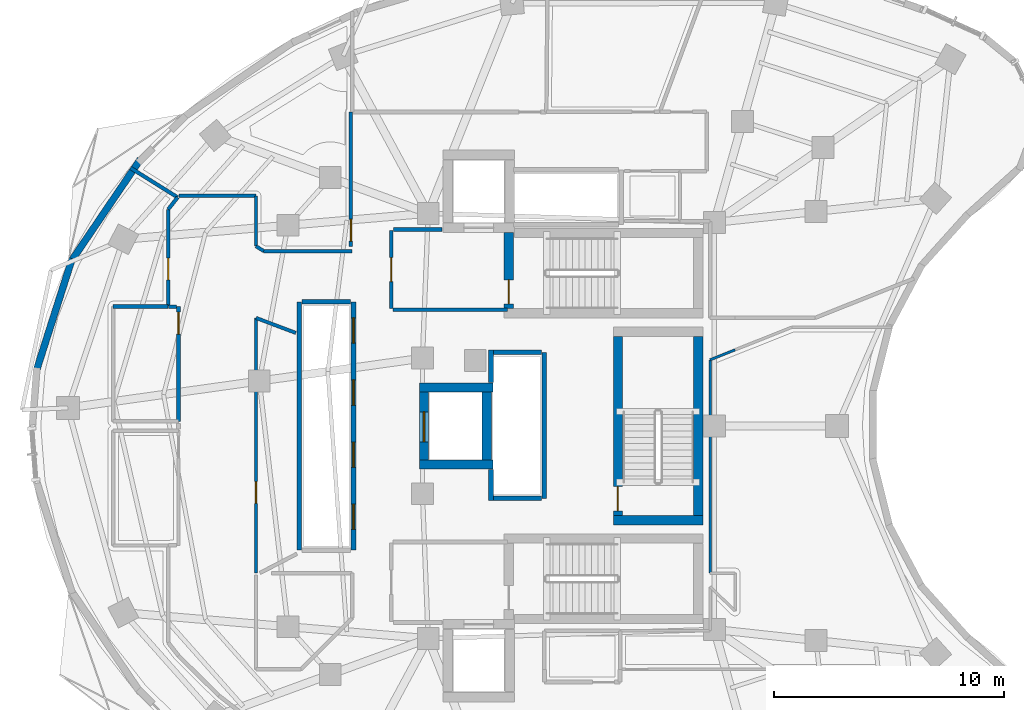
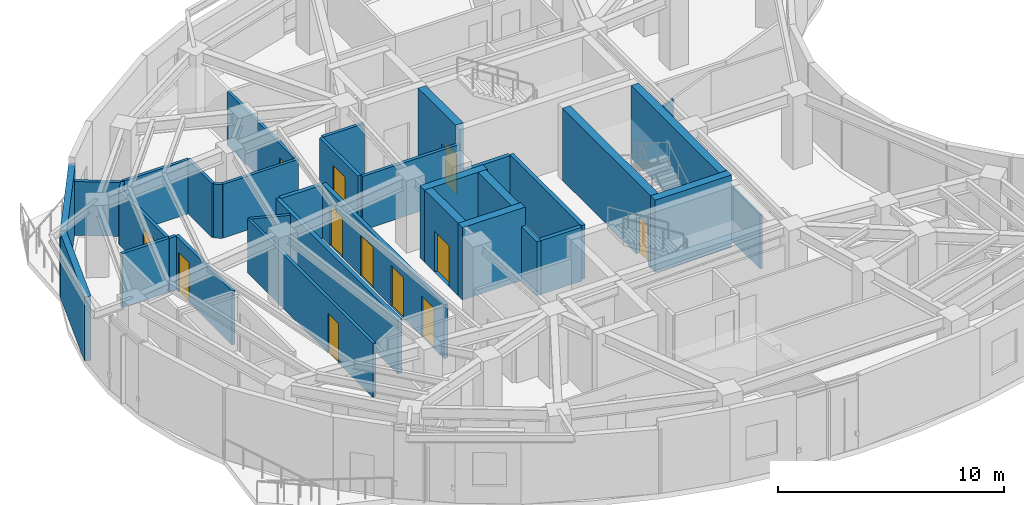
# One storey, part 8 of 13: 36 walls, 12 doors, 12 openings.
"""IFC4 building model written with IfcOpenShell, lengths in metres."""

import ifcopenshell
import ifcopenshell.guid

model = None  # the IFC model being written
_history = None  # IfcOwnerHistory: only IFC2X3 demands one
_inside = {}  # id of a spatial element -> (the spatial element, [elements in it])
_under = {}  # id of a project, library or spatial element -> (it, [spatial elements below it])
_declared = {}  # id of a project -> (the project, [libraries it declares])
_typed = {}  # id of a type object -> (the type object, [elements of that type])
_made_of = {}  # id of a material, layer set ... -> (it, [elements and type objects made of it])


def new_model(schema):
    """Start an empty IFC model of exactly this schema.

    Asked for "IFC4X3", IfcOpenShell would pick the latest addendum, in which some entities
    have other attributes; the version numbers below select the first issue.
    IFC2X3 requires an IfcOwnerHistory on every rooted entity: one is made here for all.
    """
    global model, _history
    if schema == "IFC4X3":
        model = ifcopenshell.file(schema_version=(4, 3, 0, 0))
    else:
        model = ifcopenshell.file(schema=schema)
    _inside.clear()
    _under.clear()
    _declared.clear()
    _typed.clear()
    _made_of.clear()
    _history = None
    if model.schema == "IFC2X3":
        org = make("IfcOrganization", Name="unknown")
        user = make(
            "IfcPersonAndOrganization",
            ThePerson=make("IfcPerson", FamilyName="unknown"),
            TheOrganization=org,
        )
        app = make(
            "IfcApplication",
            ApplicationDeveloper=org,
            Version="unknown",
            ApplicationFullName="unknown",
            ApplicationIdentifier="unknown",
        )
        _history = make(
            "IfcOwnerHistory",
            OwningUser=user,
            OwningApplication=app,
            ChangeAction="ADDED",
            CreationDate=0,
        )
    return model


def make(cls, **values):
    """One entity of the class cls with the attributes given. An attribute that is None is left unset."""
    return model.create_entity(
        cls, **{name: value for name, value in values.items() if value is not None}
    )


def rooted(cls, **values):
    """An entity with a GlobalId (a new one), such as an element, a storey or a relation."""
    return make(cls, GlobalId=ifcopenshell.guid.new(), OwnerHistory=_history, **values)


def si_unit(unit_type, name, prefix=None):
    """IfcSIUnit, for example si_unit("LENGTHUNIT", "METRE", prefix="MILLI")."""
    return make("IfcSIUnit", UnitType=unit_type, Prefix=prefix, Name=name)


def assignment(units):
    """IfcUnitAssignment: the units of a project."""
    return None if units is None else make("IfcUnitAssignment", Units=units)


def point(xyz):
    """IfcCartesianPoint."""
    return None if xyz is None else make("IfcCartesianPoint", Coordinates=xyz)


def direction(xyz):
    """IfcDirection."""
    return None if xyz is None else make("IfcDirection", DirectionRatios=xyz)


def frame(location, z_axis=None, x_axis=None):
    """IfcAxis2Placement3D, a coordinate frame: its origin and axes. An axis left out is left unset."""
    return make(
        "IfcAxis2Placement3D",
        Location=point(location),
        Axis=direction(z_axis),
        RefDirection=direction(x_axis),
    )


def frame_2d(location, x_axis=None):
    """IfcAxis2Placement2D, a coordinate frame in the plane: its origin and x axis."""
    return make(
        "IfcAxis2Placement2D", Location=point(location), RefDirection=direction(x_axis)
    )


def origin():
    """The frame at (0, 0, 0) with its axes left unset."""
    return frame((0.0, 0.0, 0.0))


def place(relative_to, where):
    """IfcLocalPlacement: puts the frame where relative to a parent placement (None: the world)."""
    return make(
        "IfcLocalPlacement", PlacementRelTo=relative_to, RelativePlacement=where
    )


def context(
    kind, dimensions, precision=None, world=None, true_north=None, identifier=None
):
    """IfcGeometricRepresentationContext, for example the 3D "Model" context."""
    return make(
        "IfcGeometricRepresentationContext",
        ContextIdentifier=identifier,
        ContextType=kind,
        CoordinateSpaceDimension=dimensions,
        Precision=precision,
        WorldCoordinateSystem=world,
        TrueNorth=true_north,
    )


def subcontext(parent, identifier, kind, view, scale=None):
    """IfcGeometricRepresentationSubContext, for example "Body" below "Model"."""
    return make(
        "IfcGeometricRepresentationSubContext",
        ContextIdentifier=identifier,
        ContextType=kind,
        ParentContext=parent,
        TargetScale=scale,
        TargetView=view,
    )


def project(units=None, contexts=None):
    """IfcProject with its units and contexts."""
    return rooted(
        "IfcProject",
        Name="project",
        RepresentationContexts=contexts,
        UnitsInContext=assignment(units),
    )


def spatial(cls, under=None, at=None, **own):
    """A site, building, storey or space (cls), placed at a placement, below another one or the project."""
    s = rooted(cls, ObjectPlacement=at, **own)
    if under is not None:
        _under.setdefault(under.id(), (under, []))[1].append(s)
    return s


def profile(cls, at=None, kind="AREA", **sizes):
    """A parametric profile (cls). Its sizes go by their IFC names, for example OverallWidth=200.0."""
    return make(cls, ProfileType=kind, Position=at, **sizes)


def rectangle(**sizes):
    """IfcRectangleProfileDef."""
    return profile("IfcRectangleProfileDef", **sizes)


def extrude(swept, where, along, depth):
    """IfcExtrudedAreaSolid: the profile swept, set in the frame where, extruded along a direction by depth."""
    return make(
        "IfcExtrudedAreaSolid",
        SweptArea=swept,
        Position=where,
        ExtrudedDirection=direction(along),
        Depth=depth,
    )


def shape(context_of_items, identifier, shape_type, items):
    """IfcShapeRepresentation: the items that make up one representation, for example the "Body"."""
    return make(
        "IfcShapeRepresentation",
        ContextOfItems=context_of_items,
        RepresentationIdentifier=identifier,
        RepresentationType=shape_type,
        Items=items,
    )


def material(Name=None, Category=None):
    """IfcMaterial."""
    return make("IfcMaterial", Name=Name, Category=Category)


def layer(
    of_material, thickness, ventilated=None, Name=None, Category=None, Priority=None
):
    """IfcMaterialLayer: one layer of a wall or slab, of a material (None: an air gap)."""
    return make(
        "IfcMaterialLayer",
        Material=of_material,
        LayerThickness=thickness,
        IsVentilated=ventilated,
        Name=Name,
        Category=Category,
        Priority=Priority,
    )


def layer_set(layers, Name=None):
    """IfcMaterialLayerSet."""
    return make("IfcMaterialLayerSet", MaterialLayers=layers, LayerSetName=Name)


def made_of(thing, what):
    """Note that an element or type object is made of a material, layer set ...; save() writes the relation."""
    if what is not None:
        _made_of.setdefault(what.id(), (what, []))[1].append(thing)
    return thing


def type_object(cls, material=None, **own):
    """A type object (cls), such as IfcWallType, which elements share."""
    return made_of(rooted(cls, **own), material)


def element(
    cls,
    number,
    at=None,
    inside=None,
    cuts=None,
    type_object=None,
    material=None,
    context=None,
    identifier="Body",
    shape_type=None,
    held_by="IfcProductDefinitionShape",
    body=None,
    shapes=None,
    **own,
):
    """One element of the class cls, such as IfcWall. Its Tag is "e" and its number.

    at: its placement. inside: the storey or other place that contains it. cuts: it is an
    opening in that element (IfcRelVoidsElement). A single representation is given by context,
    identifier, shape_type and body (its items); several are given by shapes. held_by: the class
    of the entity that holds the representations. save() writes the other relations.
    """
    e = rooted(cls, Tag="e%d" % number, ObjectPlacement=at, **own)
    if body is not None:
        shapes = [shape(context, identifier, shape_type, body)]
    if shapes is not None:
        e.Representation = make(held_by, Representations=shapes)
    if inside is not None:
        _inside.setdefault(inside.id(), (inside, []))[1].append(e)
    if cuts is not None:
        rooted(
            "IfcRelVoidsElement", RelatingBuildingElement=cuts, RelatedOpeningElement=e
        )
    if type_object is not None:
        _typed.setdefault(type_object.id(), (type_object, []))[1].append(e)
    return made_of(e, material)


def fill(opening, filler):
    """IfcRelFillsElement: the door or window that sits in an opening."""
    return rooted(
        "IfcRelFillsElement",
        RelatingOpeningElement=opening,
        RelatedBuildingElement=filler,
    )


def aggregate(whole, parts):
    """IfcRelAggregates: a whole, such as a stair, and the parts it consists of."""
    return rooted("IfcRelAggregates", RelatingObject=whole, RelatedObjects=parts)


def save(model, path):
    """Write the relations noted so far, then the file.

    IfcRelAggregates (storeys below a building ...), IfcRelContainedInSpatialStructure (elements
    in a storey), IfcRelDefinesByType, IfcRelAssociatesMaterial and IfcRelDeclares: one each for
    every whole, place, type object, material and project.
    """
    for whole, parts in _under.values():
        aggregate(whole, parts)
    for where, things in _inside.values():
        rooted(
            "IfcRelContainedInSpatialStructure",
            RelatedElements=things,
            RelatingStructure=where,
        )
    for kind, things in _typed.values():
        rooted("IfcRelDefinesByType", RelatedObjects=things, RelatingType=kind)
    for what, things in _made_of.values():
        rooted("IfcRelAssociatesMaterial", RelatedObjects=things, RelatingMaterial=what)
    for by, libraries in _declared.values():
        rooted("IfcRelDeclares", RelatingContext=by, RelatedDefinitions=libraries)
    model.write(path)


model = new_model("IFC4")

# Units and contexts
model_context = context("Model", 3, precision=1e-05, world=origin(), true_north=direction((0.0, 1.0)))
body_context = subcontext(model_context, "Body", "Model", "MODEL_VIEW")
ifc_project = project(units=[si_unit("LENGTHUNIT", "METRE"), si_unit("AREAUNIT", "SQUARE_METRE"), si_unit("VOLUMEUNIT", "CUBIC_METRE"), si_unit("PLANEANGLEUNIT", "RADIAN"), si_unit("MASSUNIT", "GRAM", prefix="KILO")], contexts=[model_context])

# Site, building, storey
site_placement = place(None, origin())
site = spatial("IfcSite", under=ifc_project, at=site_placement, CompositionType="ELEMENT")
building_placement = place(site_placement, origin())
building = spatial("IfcBuilding", under=site, at=building_placement, Name="Korentha Bioscience Tower", CompositionType="ELEMENT")
storey_placement = place(building_placement, frame((0.0, 0.0, 183.60009765625)))
storey = spatial("IfcBuildingStorey", under=building, at=storey_placement, Name="L42", CompositionType="ELEMENT", Elevation=183.60009765625)

# Wall, opening, door
ifc_material_1 = material(Name="Double-Stud Acoustic Gypsum", Category="gypsum")
ifc_layer_1 = layer(ifc_material_1, 0.14990234375, Name="Double-Stud Acoustic Gypsum")
ifc_layer_set_1 = layer_set([ifc_layer_1], Name="Double-Stud Acoustic Gypsum (IW-L150)")
wall_type_1 = type_object("IfcWallType", Name="Acoustic Laboratory Partition Wall 150", PredefinedType="PARTITIONING", material=ifc_layer_set_1)
wall_1_placement = place(storey_placement, frame((17.610107421875, 20.60205078125, 0.0), z_axis=(0.0, 0.0, 1.0), x_axis=(0.0, 1.0, 0.0)))
wall_1 = element("IfcWall", 1, at=wall_1_placement, inside=storey, type_object=wall_type_1, Name="L42 Biomechanical Motion Analysis Lab 02 Entrance Wall", PredefinedType="PARTITIONING", context=body_context, shape_type="SweptSolid", body=[
    extrude(rectangle(XDim=11.095947265625, YDim=0.14990234375, at=frame_2d((5.5478515625, 0.0))), origin(), (0.0, 0.0, 1.0), 2.909912109375),
])
opening_1_placement = place(wall_1_placement, frame((3.030029296875, 0.0, 0.0)))
opening_1 = element("IfcOpeningElement", 2, at=opening_1_placement, cuts=wall_1, Name="Opening ID-10R", PredefinedType="OPENING", context=body_context, shape_type="SweptSolid", body=[
    extrude(rectangle(XDim=0.949951171875, YDim=2.14990234375, at=frame_2d((0.47509765625, 1.074951171875))), frame((0.0, 0.08984375, 0.0), z_axis=(0.0, -1.0, 0.0), x_axis=(1.0, 0.0, 0.0)), (0.0, 0.0, 1.0), 0.1796875),
])
ifc_material_2 = material(Name="Phenolic Laminate Timber Core", Category="wood")
door_type_1 = type_object("IfcDoorType", Name="Laboratory Single Leaf Door 950x2150 Right", OperationType="SINGLE_SWING_RIGHT", PredefinedType="DOOR", material=ifc_material_2)
door_1_placement = place(opening_1_placement, origin())
door_1 = element("IfcDoor", 3, at=door_1_placement, inside=storey, type_object=door_type_1, Name="L42 Biomechanical Motion Analysis Lab 02 Door", OperationType="SINGLE_SWING_RIGHT", OverallHeight=2.14990234375, OverallWidth=0.949951171875, PredefinedType="DOOR", context=body_context, shape_type="SweptSolid", body=[
    extrude(rectangle(XDim=0.949951171875, YDim=2.14990234375, at=frame_2d((0.47509765625, 1.074951171875))), frame((0.0, 0.02490234375, 0.0), z_axis=(0.0, -1.0, 0.0), x_axis=(1.0, 0.0, 0.0)), (0.0, 0.0, 1.0), 0.050048828125),
])
fill(opening_1, door_1)

wall_2_placement = place(storey_placement, frame((21.739990234375, 40.64990234375, 0.0), z_axis=(0.0, 0.0, 1.0), x_axis=(0.0, -1.0, 0.0)))
wall_2 = element("IfcWall", 4, at=wall_2_placement, inside=storey, type_object=wall_type_1, Name="L42 Automated High-Throughput Assay Lab 09 Entrance Wall", PredefinedType="PARTITIONING", context=body_context, shape_type="SweptSolid", body=[
    extrude(rectangle(XDim=5.849853515625, YDim=0.14990234375, at=frame_2d((2.9248046875, 0.0))), origin(), (0.0, 0.0, 1.0), 2.909912109375),
])
opening_2_placement = place(wall_2_placement, frame((4.659912109375, 0.0, 0.0)))
opening_2 = element("IfcOpeningElement", 5, at=opening_2_placement, cuts=wall_2, Name="Opening ID-10L", PredefinedType="OPENING", context=body_context, shape_type="SweptSolid", body=[
    extrude(rectangle(XDim=0.949951171875, YDim=2.14990234375, at=frame_2d((0.47509765625, 1.074951171875))), frame((0.0, 0.08984375, 0.0), z_axis=(0.0, -1.0, 0.0), x_axis=(1.0, 0.0, 0.0)), (0.0, 0.0, 1.0), 0.1796875),
])
door_type_2 = type_object("IfcDoorType", Name="Laboratory Single Leaf Door 950x2150 Left", OperationType="SINGLE_SWING_LEFT", PredefinedType="DOOR", material=ifc_material_2)
door_2_placement = place(opening_2_placement, origin())
door_2 = element("IfcDoor", 6, at=door_2_placement, inside=storey, type_object=door_type_2, Name="L42 Automated High-Throughput Assay Lab 09 Door", OperationType="SINGLE_SWING_LEFT", OverallHeight=2.14990234375, OverallWidth=0.949951171875, PredefinedType="DOOR", context=body_context, shape_type="SweptSolid", body=[
    extrude(rectangle(XDim=0.949951171875, YDim=2.14990234375, at=frame_2d((0.47509765625, 1.074951171875))), frame((0.0, 0.02490234375, 0.0), z_axis=(0.0, -1.0, 0.0), x_axis=(1.0, 0.0, 0.0)), (0.0, 0.0, 1.0), 0.050048828125),
])
fill(opening_2, door_2)

# Walls
wall_3_placement = place(storey_placement, frame((17.615966796875, 31.697998046875, 0.0), z_axis=(0.0, 0.0, 1.0), x_axis=(0.936061955156, -0.351835211583, 0.0)))
element("IfcWall", 7, at=wall_3_placement, inside=storey, type_object=wall_type_1, Name="L42 Interior Partition 037", PredefinedType="PARTITIONING", context=body_context, shape_type="SweptSolid", body=[
    extrude(rectangle(XDim=1.841552734375, YDim=0.14990234375, at=frame_2d((0.9208984375, 0.0))), origin(), (0.0, 0.0, 1.0), 2.909912109375),
])
wall_4_placement = place(storey_placement, frame((21.7900390625, 34.610107421875, 0.0), z_axis=(0.0, 0.0, 1.0), x_axis=(-1.0, 0.0, 0.0)))
element("IfcWall", 8, at=wall_4_placement, inside=storey, type_object=wall_type_1, Name="L42 Interior Partition 070", PredefinedType="PARTITIONING", context=body_context, shape_type="SweptSolid", body=[
    extrude(rectangle(XDim=3.844482421875, YDim=0.14990234375, at=frame_2d((1.92236328125, 0.0))), origin(), (0.0, 0.0, 1.0), 2.909912109375),
])
wall_5_placement = place(storey_placement, frame((17.945556640625, 34.610107421875, 0.0), z_axis=(0.0, 0.0, 1.0), x_axis=(-0.84820632616, 0.529665959131, 0.0)))
element("IfcWall", 9, at=wall_5_placement, inside=storey, type_object=wall_type_1, Name="L42 Interior Partition 071", PredefinedType="PARTITIONING", context=body_context, shape_type="SweptSolid", body=[
    extrude(rectangle(XDim=0.3955078125, YDim=0.14990234375, at=frame_2d((0.19775390625, 0.0))), origin(), (0.0, 0.0, 1.0), 2.909912109375),
])
wall_6_placement = place(storey_placement, frame((17.610107421875, 34.819580078125, 0.0), z_axis=(0.0, 0.0, 1.0), x_axis=(0.0, 1.0, 0.0)))
element("IfcWall", 10, at=wall_6_placement, inside=storey, type_object=wall_type_1, Name="L42 Interior Partition 072", PredefinedType="PARTITIONING", context=body_context, shape_type="SweptSolid", body=[
    extrude(rectangle(XDim=2.180419921875, YDim=0.14990234375, at=frame_2d((1.09033203125, 0.0))), origin(), (0.0, 0.0, 1.0), 2.909912109375),
])
wall_7_placement = place(storey_placement, frame((17.60009765625, 37.010009765625, 0.0), z_axis=(0.0, 0.0, 1.0), x_axis=(-1.0, 0.0, 0.0)))
element("IfcWall", 11, at=wall_7_placement, inside=storey, type_object=wall_type_1, Name="L42 Interior Partition 073", PredefinedType="PARTITIONING", context=body_context, shape_type="SweptSolid", body=[
    extrude(rectangle(XDim=3.3447265625, YDim=0.14990234375, at=frame_2d((1.67236328125, 0.0))), origin(), (0.0, 0.0, 1.0), 2.909912109375),
])
ifc_material_3 = material(Name="Fire-Rated Framed Glass", Category="glass")
ifc_layer_2 = layer(ifc_material_3, 0.110107421875, Name="Fire-Rated Framed Glass")
ifc_layer_set_2 = layer_set([ifc_layer_2], Name="Fire-Rated Framed Glass (IW-G110)")
wall_type_2 = type_object("IfcWallType", Name="Demountable Glazed Office Partition 110", PredefinedType="MOVABLE", material=ifc_layer_set_2)
wall_8_placement = place(storey_placement, frame((37.360107421875, 20.60205078125, 0.0), z_axis=(0.0, 0.0, 1.0), x_axis=(0.0, 1.0, 0.0)))
element("IfcWall", 12, at=wall_8_placement, inside=storey, type_object=wall_type_2, Name="L42 Interior Partition 051", PredefinedType="MOVABLE", context=body_context, shape_type="SweptSolid", body=[
    extrude(rectangle(XDim=9.27685546875, YDim=0.110107421875, at=frame_2d((4.638427734375, 0.0))), origin(), (0.0, 0.0, 1.0), 2.909912109375),
])
wall_9_placement = place(storey_placement, frame((37.360107421875, 29.87890625, 0.0), z_axis=(0.0, 0.0, 1.0), x_axis=(0.929122527509, 0.369771995797, 0.0)))
element("IfcWall", 13, at=wall_9_placement, inside=storey, type_object=wall_type_2, Name="L42 Interior Partition 052", PredefinedType="MOVABLE", context=body_context, shape_type="SweptSolid", body=[
    extrude(rectangle(XDim=1.170654296875, YDim=0.110107421875, at=frame_2d((0.58544921875, 0.0))), origin(), (0.0, 0.0, 1.0), 2.909912109375),
])

# Wall, opening, door
ifc_material_4 = material(Name="Gypsum-Clad Steel Stud", Category="steel")
ifc_layer_3 = layer(ifc_material_4, 0.159912109375, Name="Gypsum-Clad Steel Stud")
ifc_layer_set_3 = layer_set([ifc_layer_3], Name="Gypsum-Clad Steel Stud (IW-C160)")
wall_type_3 = type_object("IfcWallType", Name="Fire-Rated Corridor Partition Wall 160", PredefinedType="PARTITIONING", material=ifc_layer_set_3)
wall_10_placement = place(storey_placement, frame((23.5, 32.10009765625, 0.0), z_axis=(0.0, 0.0, 1.0), x_axis=(0.0, 1.0, 0.0)))
wall_10 = element("IfcWall", 14, at=wall_10_placement, inside=storey, type_object=wall_type_3, Name="L42 FFLN-CW Rated Enclosure Wall", PredefinedType="PARTITIONING", context=body_context, shape_type="SweptSolid", body=[
    extrude(rectangle(XDim=3.39990234375, YDim=0.159912109375, at=frame_2d((1.699951171875, 0.0))), origin(), (0.0, 0.0, 1.0), 2.909912109375),
])
opening_3_placement = place(wall_10_placement, frame((1.175048828125, 0.0, 0.0)))
opening_3 = element("IfcOpeningElement", 15, at=opening_3_placement, cuts=wall_10, Name="Opening FD-90L", PredefinedType="OPENING", context=body_context, shape_type="SweptSolid", body=[
    extrude(rectangle(XDim=1.050048828125, YDim=2.14990234375, at=frame_2d((0.52490234375, 1.074951171875))), frame((0.0, 0.0947265625, 0.0), z_axis=(0.0, -1.0, 0.0), x_axis=(1.0, 0.0, 0.0)), (0.0, 0.0, 1.0), 0.189697265625),
])
ifc_material_5 = material(Name="Powder-Coated Fire-Rated Steel", Category="steel")
door_type_3 = type_object("IfcDoorType", Name="Stairwell Fire Exit Door 1050x2150 Left", OperationType="SINGLE_SWING_LEFT", PredefinedType="DOOR", material=ifc_material_5)
door_3_placement = place(opening_3_placement, origin())
door_3 = element("IfcDoor", 16, at=door_3_placement, inside=storey, type_object=door_type_3, Name="L42 North Firefighting Lobby Door", OperationType="SINGLE_SWING_LEFT", OverallHeight=2.14990234375, OverallWidth=1.050048828125, PredefinedType="DOOR", context=body_context, shape_type="SweptSolid", body=[
    extrude(rectangle(XDim=1.050048828125, YDim=2.14990234375, at=frame_2d((0.52490234375, 1.074951171875))), frame((0.0, 0.02490234375, 0.0), z_axis=(0.0, -1.0, 0.0), x_axis=(1.0, 0.0, 0.0)), (0.0, 0.0, 1.0), 0.050048828125),
])
fill(opening_3, door_3)

# Walls
wall_11_placement = place(storey_placement, frame((23.580078125, 32.050048828125, 0.0), z_axis=(0.0, 0.0, 1.0), x_axis=(1.0, 0.0, 0.0)))
element("IfcWall", 17, at=wall_11_placement, inside=storey, type_object=wall_type_3, Name="L42 Firefighting Lobby Return Wall FFLN-S", PredefinedType="PARTITIONING", context=body_context, shape_type="SweptSolid", body=[
    extrude(rectangle(XDim=4.969970703125, YDim=0.159912109375, at=frame_2d((2.48486328125, 0.0))), origin(), (0.0, 0.0, 1.0), 2.909912109375),
])
wall_12_placement = place(storey_placement, frame((23.580078125, 35.550048828125, 0.0), z_axis=(0.0, 0.0, 1.0), x_axis=(1.0, 0.0, 0.0)))
element("IfcWall", 18, at=wall_12_placement, inside=storey, type_object=wall_type_3, Name="L42 Firefighting Lobby Return Wall FFLN-N", PredefinedType="PARTITIONING", context=body_context, shape_type="SweptSolid", body=[
    extrude(rectangle(XDim=2.119873046875, YDim=0.159912109375, at=frame_2d((1.06005859375, 0.0))), origin(), (0.0, 0.0, 1.0), 2.909912109375),
])

# Wall, opening, door
wall_13_placement = place(storey_placement, frame((14.239990234375, 32.18994140625, 0.0), z_axis=(0.0, 0.0, 1.0), x_axis=(0.0, -1.0, 0.0)))
wall_13 = element("IfcWall", 19, at=wall_13_placement, inside=storey, type_object=wall_type_3, Name="L42 Reclaimed Bank-1 Glassware Store Entrance Wall", PredefinedType="PARTITIONING", context=body_context, shape_type="SweptSolid", body=[
    extrude(rectangle(XDim=4.989990234375, YDim=0.159912109375, at=frame_2d((2.4951171875, 0.0))), origin(), (0.0, 0.0, 1.0), 2.909912109375),
])
opening_4_placement = place(wall_13_placement, frame((0.239990234375, 0.0, 0.0)))
opening_4 = element("IfcOpeningElement", 20, at=opening_4_placement, cuts=wall_13, Name="Opening ID-10R", PredefinedType="OPENING", context=body_context, shape_type="SweptSolid", body=[
    extrude(rectangle(XDim=0.949951171875, YDim=2.14990234375, at=frame_2d((0.47509765625, 1.074951171875))), frame((0.0, 0.0947265625, 0.0), z_axis=(0.0, -1.0, 0.0), x_axis=(1.0, 0.0, 0.0)), (0.0, 0.0, 1.0), 0.189697265625),
])
door_4_placement = place(opening_4_placement, origin())
door_4 = element("IfcDoor", 21, at=door_4_placement, inside=storey, type_object=door_type_1, Name="L42 Reclaimed Bank-1 Glassware Store Door", OperationType="SINGLE_SWING_RIGHT", OverallHeight=2.14990234375, OverallWidth=0.949951171875, PredefinedType="DOOR", context=body_context, shape_type="SweptSolid", body=[
    extrude(rectangle(XDim=0.949951171875, YDim=2.14990234375, at=frame_2d((0.47509765625, 1.074951171875))), frame((0.0, 0.02490234375, 0.0), z_axis=(0.0, -1.0, 0.0), x_axis=(1.0, 0.0, 0.0)), (0.0, 0.0, 1.0), 0.050048828125),
])
fill(opening_4, door_4)

wall_14_placement = place(storey_placement, frame((13.7900390625, 36.41748046875, 0.0), z_axis=(0.0, 0.0, 1.0), x_axis=(0.0, -1.0, 0.0)))
wall_14 = element("IfcWall", 22, at=wall_14_placement, inside=storey, type_object=wall_type_3, Name="L42 Biospecimen Archive Store 01 Entrance Wall", PredefinedType="PARTITIONING", context=body_context, shape_type="SweptSolid", body=[
    extrude(rectangle(XDim=4.20751953125, YDim=0.159912109375, at=frame_2d((2.103759765625, 0.0))), origin(), (0.0, 0.0, 1.0), 2.909912109375),
])
opening_5_placement = place(wall_14_placement, frame((2.110595703125, 0.0, 0.0)))
opening_5 = element("IfcOpeningElement", 23, at=opening_5_placement, cuts=wall_14, Name="Opening ID-10L", PredefinedType="OPENING", context=body_context, shape_type="SweptSolid", body=[
    extrude(rectangle(XDim=0.949951171875, YDim=2.14990234375, at=frame_2d((0.47509765625, 1.074951171875))), frame((0.0, 0.0947265625, 0.0), z_axis=(0.0, -1.0, 0.0), x_axis=(1.0, 0.0, 0.0)), (0.0, 0.0, 1.0), 0.189697265625),
])
door_5_placement = place(opening_5_placement, origin())
door_5 = element("IfcDoor", 24, at=door_5_placement, inside=storey, type_object=door_type_2, Name="L42 Biospecimen Archive Store 01 Door", OperationType="SINGLE_SWING_LEFT", OverallHeight=2.14990234375, OverallWidth=0.949951171875, PredefinedType="DOOR", context=body_context, shape_type="SweptSolid", body=[
    extrude(rectangle(XDim=0.949951171875, YDim=2.14990234375, at=frame_2d((0.47509765625, 1.074951171875))), frame((0.0, 0.02490234375, 0.0), z_axis=(0.0, -1.0, 0.0), x_axis=(1.0, 0.0, 0.0)), (0.0, 0.0, 1.0), 0.050048828125),
])
fill(opening_5, door_5)

# Walls
wall_15_placement = place(storey_placement, frame((13.800048828125, 32.18994140625, 0.0), z_axis=(0.0, 0.0, 1.0), x_axis=(1.0, 0.0, 0.0)))
element("IfcWall", 25, at=wall_15_placement, inside=storey, type_object=wall_type_3, Name="L42 Interior Partition 025", PredefinedType="PARTITIONING", context=body_context, shape_type="SweptSolid", body=[
    extrude(rectangle(XDim=0.35693359375, YDim=0.159912109375, at=frame_2d((0.178466796875, 0.0))), origin(), (0.0, 0.0, 1.0), 2.909912109375),
])
wall_16_placement = place(storey_placement, frame((11.39990234375, 32.199951171875, 0.0), z_axis=(0.0, 0.0, 1.0), x_axis=(1.0, 0.0, 0.0)))
element("IfcWall", 26, at=wall_16_placement, inside=storey, type_object=wall_type_3, Name="L42 Interior Partition 028", PredefinedType="PARTITIONING", context=body_context, shape_type="SweptSolid", body=[
    extrude(rectangle(XDim=2.39013671875, YDim=0.159912109375, at=frame_2d((1.195068359375, 0.0))), origin(), (0.0, 0.0, 1.0), 2.909912109375),
])
wall_17_placement = place(storey_placement, frame((12.146484375, 38.22900390625, 0.0), z_axis=(0.0, 0.0, 1.0), x_axis=(0.848066263041, -0.529890190031, 0.0)))
element("IfcWall", 27, at=wall_17_placement, inside=storey, type_object=wall_type_3, Name="L42 Interior Partition 029", PredefinedType="PARTITIONING", context=body_context, shape_type="SweptSolid", body=[
    extrude(rectangle(XDim=2.421630859375, YDim=0.159912109375, at=frame_2d((1.2109375, 0.0))), origin(), (0.0, 0.0, 1.0), 2.909912109375),
])
wall_18_placement = place(storey_placement, frame((14.2001953125, 36.94580078125, 0.0), z_axis=(0.0, 0.0, 1.0), x_axis=(-0.615851305214, -0.787862405415, 0.0)))
element("IfcWall", 28, at=wall_18_placement, inside=storey, type_object=wall_type_3, Name="L42 Interior Partition 030", PredefinedType="PARTITIONING", context=body_context, shape_type="SweptSolid", body=[
    extrude(rectangle(XDim=0.662841796875, YDim=0.159912109375, at=frame_2d((0.33154296875, 0.0))), origin(), (0.0, 0.0, 1.0), 2.909912109375),
])
ifc_material_6 = material(Name="Honed Limestone Precast Concrete C40", Category="masonry")
ifc_layer_4 = layer(ifc_material_6, 0.300048828125, Name="Honed Limestone Precast Concrete C40")
ifc_layer_set_4 = layer_set([ifc_layer_4], Name="Honed Limestone Precast Concrete C40 (EW-ST300)")
wall_type_4 = type_object("IfcWallType", Name="Honed Limestone Cavity Spandrel Wall 300", PredefinedType="STANDARD", material=ifc_layer_set_4)
wall_19_placement = place(storey_placement, frame((12.580078125, 38.6005859375, 0.0), z_axis=(0.0, 0.0, 1.0), x_axis=(-0.561663900064, -0.827365495634, 0.0)))
element("IfcWall", 29, at=wall_19_placement, inside=storey, type_object=wall_type_4, Name="L42 Limestone Perimeter Closure Wall 14", PredefinedType="STANDARD", context=body_context, shape_type="SweptSolid", body=[
    extrude(rectangle(XDim=5.437744140625, YDim=0.300048828125, at=frame_2d((2.71875, 0.0))), origin(), (0.0, 0.0, 1.0), 3.469970703125),
])
wall_20_placement = place(storey_placement, frame((9.612548828125, 34.280029296875, 0.0), z_axis=(0.0, 0.0, 1.0), x_axis=(-0.303930984078, -0.952694052106, 0.0)))
element("IfcWall", 30, at=wall_20_placement, inside=storey, type_object=wall_type_4, Name="L42 Limestone Perimeter Closure Wall 16", PredefinedType="STANDARD", context=body_context, shape_type="SweptSolid", body=[
    extrude(rectangle(XDim=5.18115234375, YDim=0.300048828125, at=frame_2d((2.590576171875, 0.0))), origin(), (0.0, 0.0, 1.0), 3.469970703125),
])
ifc_material_7 = material(Name="Autoclaved Aerated Concrete Block C25", Category="concrete")
ifc_layer_5 = layer(ifc_material_7, 0.199951171875, Name="Autoclaved Aerated Concrete Block C25")
ifc_layer_set_5 = layer_set([ifc_layer_5], Name="Autoclaved Aerated Concrete Block C25 (IW-S200)")
wall_type_5 = type_object("IfcWallType", Name="Lift and Riser Shaft Enclosure Wall 200", PredefinedType="PARTITIONING", material=ifc_layer_set_5)
wall_21_placement = place(storey_placement, frame((19.5, 21.60009765625, 0.0), z_axis=(0.0, 0.0, 1.0), x_axis=(0.0, 1.0, 0.0)))
element("IfcWall", 31, at=wall_21_placement, inside=storey, type_object=wall_type_5, Name="L42 Lift Bank MID Shaft Wall -X", PredefinedType="PARTITIONING", context=body_context, shape_type="SweptSolid", body=[
    extrude(rectangle(XDim=10.7998046875, YDim=0.199951171875, at=frame_2d((5.39990234375, 0.0))), origin(), (0.0, 0.0, 1.0), 2.909912109375),
])

# Wall, openings, doors
wall_22_placement = place(storey_placement, frame((21.85009765625, 21.60009765625, 0.0), z_axis=(0.0, 0.0, 1.0), x_axis=(0.0, 1.0, 0.0)))
wall_22 = element("IfcWall", 32, at=wall_22_placement, inside=storey, type_object=wall_type_5, Name="L42 Lift Bank MID Shaft Wall +X", PredefinedType="PARTITIONING", context=body_context, shape_type="SweptSolid", body=[
    extrude(rectangle(XDim=10.7998046875, YDim=0.199951171875, at=frame_2d((5.39990234375, 0.0))), origin(), (0.0, 0.0, 1.0), 2.909912109375),
])
opening_6_placement = place(wall_22_placement, frame((0.89990234375, 0.0, 0.0)))
opening_6 = element("IfcOpeningElement", 33, at=opening_6_placement, cuts=wall_22, Name="Opening LD-11", PredefinedType="OPENING", context=body_context, shape_type="SweptSolid", body=[
    extrude(rectangle(XDim=1.10009765625, YDim=2.199951171875, at=frame_2d((0.550048828125, 1.10009765625))), frame((0.0, 0.11474609375, 0.0), z_axis=(0.0, -1.0, 0.0), x_axis=(1.0, 0.0, 0.0)), (0.0, 0.0, 1.0), 0.229736328125),
])
opening_7_placement = place(wall_22_placement, frame((3.60009765625, 0.0, 0.0)))
opening_7 = element("IfcOpeningElement", 34, at=opening_7_placement, cuts=wall_22, Name="Opening LD-11", PredefinedType="OPENING", context=body_context, shape_type="SweptSolid", body=[
    extrude(rectangle(XDim=1.10009765625, YDim=2.199951171875, at=frame_2d((0.550048828125, 1.10009765625))), frame((0.0, 0.11474609375, 0.0), z_axis=(0.0, -1.0, 0.0), x_axis=(1.0, 0.0, 0.0)), (0.0, 0.0, 1.0), 0.229736328125),
])
opening_8_placement = place(wall_22_placement, frame((6.300048828125, 0.0, 0.0)))
opening_8 = element("IfcOpeningElement", 35, at=opening_8_placement, cuts=wall_22, Name="Opening LD-11", PredefinedType="OPENING", context=body_context, shape_type="SweptSolid", body=[
    extrude(rectangle(XDim=1.10009765625, YDim=2.199951171875, at=frame_2d((0.550048828125, 1.10009765625))), frame((0.0, 0.11474609375, 0.0), z_axis=(0.0, -1.0, 0.0), x_axis=(1.0, 0.0, 0.0)), (0.0, 0.0, 1.0), 0.229736328125),
])
opening_9_placement = place(wall_22_placement, frame((9.0, 0.0, 0.0)))
opening_9 = element("IfcOpeningElement", 36, at=opening_9_placement, cuts=wall_22, Name="Opening LD-11", PredefinedType="OPENING", context=body_context, shape_type="SweptSolid", body=[
    extrude(rectangle(XDim=1.10009765625, YDim=2.199951171875, at=frame_2d((0.550048828125, 1.10009765625))), frame((0.0, 0.11474609375, 0.0), z_axis=(0.0, -1.0, 0.0), x_axis=(1.0, 0.0, 0.0)), (0.0, 0.0, 1.0), 0.229736328125),
])
ifc_material_8 = material(Name="Brushed Stainless Steel 304", Category="steel")
door_type_4 = type_object("IfcDoorType", Name="Passenger Lift Sliding Landing Door 1100x2200", OperationType="DOUBLE_DOOR_SLIDING", PredefinedType="DOOR", material=ifc_material_8)
door_6_placement = place(opening_6_placement, origin())
door_6 = element("IfcDoor", 37, at=door_6_placement, inside=storey, type_object=door_type_4, Name="L42 PL-M1 Sliding Lift Landing Door", OperationType="DOUBLE_DOOR_SLIDING", OverallHeight=2.199951171875, OverallWidth=1.10009765625, PredefinedType="DOOR", context=body_context, shape_type="SweptSolid", body=[
    extrude(rectangle(XDim=1.10009765625, YDim=2.199951171875, at=frame_2d((0.550048828125, 1.10009765625))), frame((0.0, 0.02490234375, 0.0), z_axis=(0.0, -1.0, 0.0), x_axis=(1.0, 0.0, 0.0)), (0.0, 0.0, 1.0), 0.050048828125),
])
fill(opening_6, door_6)
door_7_placement = place(opening_7_placement, origin())
door_7 = element("IfcDoor", 38, at=door_7_placement, inside=storey, type_object=door_type_4, Name="L42 PL-M2 Sliding Lift Landing Door", OperationType="DOUBLE_DOOR_SLIDING", OverallHeight=2.199951171875, OverallWidth=1.10009765625, PredefinedType="DOOR", context=body_context, shape_type="SweptSolid", body=[
    extrude(rectangle(XDim=1.10009765625, YDim=2.199951171875, at=frame_2d((0.550048828125, 1.10009765625))), frame((0.0, 0.02490234375, 0.0), z_axis=(0.0, -1.0, 0.0), x_axis=(1.0, 0.0, 0.0)), (0.0, 0.0, 1.0), 0.050048828125),
])
fill(opening_7, door_7)
door_8_placement = place(opening_8_placement, origin())
door_8 = element("IfcDoor", 39, at=door_8_placement, inside=storey, type_object=door_type_4, Name="L42 PL-M3 Sliding Lift Landing Door", OperationType="DOUBLE_DOOR_SLIDING", OverallHeight=2.199951171875, OverallWidth=1.10009765625, PredefinedType="DOOR", context=body_context, shape_type="SweptSolid", body=[
    extrude(rectangle(XDim=1.10009765625, YDim=2.199951171875, at=frame_2d((0.550048828125, 1.10009765625))), frame((0.0, 0.02490234375, 0.0), z_axis=(0.0, -1.0, 0.0), x_axis=(1.0, 0.0, 0.0)), (0.0, 0.0, 1.0), 0.050048828125),
])
fill(opening_8, door_8)
door_9_placement = place(opening_9_placement, origin())
door_9 = element("IfcDoor", 40, at=door_9_placement, inside=storey, type_object=door_type_4, Name="L42 PL-M4 Sliding Lift Landing Door", OperationType="DOUBLE_DOOR_SLIDING", OverallHeight=2.199951171875, OverallWidth=1.10009765625, PredefinedType="DOOR", context=body_context, shape_type="SweptSolid", body=[
    extrude(rectangle(XDim=1.10009765625, YDim=2.199951171875, at=frame_2d((0.550048828125, 1.10009765625))), frame((0.0, 0.02490234375, 0.0), z_axis=(0.0, -1.0, 0.0), x_axis=(1.0, 0.0, 0.0)), (0.0, 0.0, 1.0), 0.050048828125),
])
fill(opening_9, door_9)

# Walls
wall_23_placement = place(storey_placement, frame((19.6201171875, 32.39990234375, 0.0), z_axis=(0.0, 0.0, 1.0), x_axis=(1.0, 0.0, 0.0)))
element("IfcWall", 41, at=wall_23_placement, inside=storey, type_object=wall_type_5, Name="L42 Lift Bank MID Shaft Wall +Y", PredefinedType="PARTITIONING", context=body_context, shape_type="SweptSolid", body=[
    extrude(rectangle(XDim=2.10986328125, YDim=0.199951171875, at=frame_2d((1.054931640625, 0.0))), origin(), (0.0, 0.0, 1.0), 2.909912109375),
])
wall_24_placement = place(storey_placement, frame((27.830078125, 23.75, 0.0), z_axis=(0.0, 0.0, 1.0), x_axis=(0.0, 1.0, 0.0)))
element("IfcWall", 42, at=wall_24_placement, inside=storey, type_object=wall_type_5, Name="L42 Lift Bank HIGH Shaft Wall -XS", PredefinedType="PARTITIONING", context=body_context, shape_type="SweptSolid", body=[
    extrude(rectangle(XDim=1.365966796875, YDim=0.199951171875, at=frame_2d((0.68310546875, 0.0))), origin(), (0.0, 0.0, 1.0), 2.909912109375),
])
wall_25_placement = place(storey_placement, frame((27.830078125, 28.884033203125, 0.0), z_axis=(0.0, 0.0, 1.0), x_axis=(0.0, 1.0, 0.0)))
element("IfcWall", 43, at=wall_25_placement, inside=storey, type_object=wall_type_5, Name="L42 Lift Bank HIGH Shaft Wall -XN", PredefinedType="PARTITIONING", context=body_context, shape_type="SweptSolid", body=[
    extrude(rectangle(XDim=1.416015625, YDim=0.199951171875, at=frame_2d((0.7080078125, 0.0))), origin(), (0.0, 0.0, 1.0), 2.909912109375),
])
wall_26_placement = place(storey_placement, frame((30.14990234375, 23.85009765625, 0.0), z_axis=(0.0, 0.0, 1.0), x_axis=(0.0, 1.0, 0.0)))
element("IfcWall", 44, at=wall_26_placement, inside=storey, type_object=wall_type_5, Name="L42 Lift Bank HIGH Shaft Wall +X", PredefinedType="PARTITIONING", context=body_context, shape_type="SweptSolid", body=[
    extrude(rectangle(XDim=6.349853515625, YDim=0.199951171875, at=frame_2d((3.1748046875, 0.0))), origin(), (0.0, 0.0, 1.0), 2.909912109375),
])
for number, where, z_axis, x_axis, name in (
    (45, (27.93408203125, 23.85009765625, 0.0), (0.0, 0.0, 1.0), (1.0, 0.0, 0.0), "L42 Lift Bank HIGH Shaft Wall -Y"),
    (46, (27.93408203125, 30.199951171875, 0.0), (0.0, 0.0, 1.0), (1.0, 0.0, 0.0), "L42 Lift Bank HIGH Shaft Wall +Y"),
):
    element("IfcWall", number, at=place(storey_placement, frame(where, z_axis=z_axis, x_axis=x_axis)), inside=storey, type_object=wall_type_5, Name=name, PredefinedType="PARTITIONING", context=body_context, shape_type="SweptSolid", body=[
        extrude(rectangle(XDim=2.095947265625, YDim=0.199951171875, at=frame_2d((1.0478515625, 0.0))), origin(), (0.0, 0.0, 1.0), 2.909912109375),
    ])

# Wall, opening, door
ifc_material_9 = material(Name="Concrete C65", Category="concrete")
ifc_layer_6 = layer(ifc_material_9, 0.39990234375, Name="Concrete C65")
ifc_layer_set_6 = layer_set([ifc_layer_6], Name="Concrete C65 (CW-C65)")
wall_type_6 = type_object("IfcWallType", Name="Mid-Rise Core Shear Wall 400", PredefinedType="SHEAR", material=ifc_layer_set_6)
wall_27_placement = place(storey_placement, frame((28.60009765625, 32.110107421875, 0.0), z_axis=(0.0, 0.0, 1.0), x_axis=(0.0, 1.0, 0.0)))
wall_27 = element("IfcWall", 47, at=wall_27_placement, inside=storey, type_object=wall_type_6, Name="L42 Core Shear Wall ST1-W", PredefinedType="SHEAR", context=body_context, shape_type="SweptSolid", body=[
    extrude(rectangle(XDim=3.307861328125, YDim=0.39990234375, at=frame_2d((1.65380859375, 0.0))), origin(), (0.0, 0.0, 1.0), 3.89990234375),
])
opening_10_placement = place(wall_27_placement, frame((0.199951171875, 0.0, 0.0)))
opening_10 = element("IfcOpeningElement", 48, at=opening_10_placement, cuts=wall_27, Name="Opening FD-90L", PredefinedType="OPENING", context=body_context, shape_type="SweptSolid", body=[
    extrude(rectangle(XDim=1.050048828125, YDim=2.14990234375, at=frame_2d((0.52490234375, 1.074951171875))), frame((0.0, 0.21484375, 0.0), z_axis=(0.0, -1.0, 0.0), x_axis=(1.0, 0.0, 0.0)), (0.0, 0.0, 1.0), 0.4296875),
])
door_10_placement = place(opening_10_placement, origin())
door_10 = element("IfcDoor", 49, at=door_10_placement, inside=storey, type_object=door_type_3, Name="L42 ST-1 Fire Exit Stair Door", OperationType="SINGLE_SWING_LEFT", OverallHeight=2.14990234375, OverallWidth=1.050048828125, PredefinedType="DOOR", context=body_context, shape_type="SweptSolid", body=[
    extrude(rectangle(XDim=1.050048828125, YDim=2.14990234375, at=frame_2d((0.52490234375, 1.074951171875))), frame((0.0, 0.02490234375, 0.0), z_axis=(0.0, -1.0, 0.0), x_axis=(1.0, 0.0, 0.0)), (0.0, 0.0, 1.0), 0.050048828125),
])
fill(opening_10, door_10)

# Walls
wall_28_placement = place(storey_placement, frame((33.14990234375, 22.89990234375, 0.0), z_axis=(0.0, 0.0, 1.0), x_axis=(1.0, 0.0, 0.0)))
element("IfcWall", 50, at=wall_28_placement, inside=storey, type_object=wall_type_6, Name="L42 Core Shear Wall ST3-S", PredefinedType="SHEAR", context=body_context, shape_type="SweptSolid", body=[
    extrude(rectangle(XDim=3.900146484375, YDim=0.39990234375, at=frame_2d((1.9501953125, 0.0))), origin(), (0.0, 0.0, 1.0), 3.89990234375),
])
wall_29_placement = place(storey_placement, frame((36.85009765625, 23.110107421875, 0.0), z_axis=(0.0, 0.0, 1.0), x_axis=(0.0, 1.0, 0.0)))
element("IfcWall", 51, at=wall_29_placement, inside=storey, type_object=wall_type_6, Name="L42 Core Shear Wall ST3-E", PredefinedType="SHEAR", context=body_context, shape_type="SweptSolid", body=[
    extrude(rectangle(XDim=7.77978515625, YDim=0.39990234375, at=frame_2d((3.889892578125, 0.0))), origin(), (0.0, 0.0, 1.0), 3.89990234375),
])

# Wall, opening, door
wall_30_placement = place(storey_placement, frame((33.35009765625, 23.110107421875, 0.0), z_axis=(0.0, 0.0, 1.0), x_axis=(0.0, 1.0, 0.0)))
wall_30 = element("IfcWall", 52, at=wall_30_placement, inside=storey, type_object=wall_type_6, Name="L42 Core Shear Wall ST3-W", PredefinedType="SHEAR", context=body_context, shape_type="SweptSolid", body=[
    extrude(rectangle(XDim=7.77978515625, YDim=0.39990234375, at=frame_2d((3.889892578125, 0.0))), origin(), (0.0, 0.0, 1.0), 3.89990234375),
])
opening_11_placement = place(wall_30_placement, frame((0.199951171875, 0.0, 0.0)))
opening_11 = element("IfcOpeningElement", 53, at=opening_11_placement, cuts=wall_30, Name="Opening FD-90L", PredefinedType="OPENING", context=body_context, shape_type="SweptSolid", body=[
    extrude(rectangle(XDim=1.050048828125, YDim=2.14990234375, at=frame_2d((0.52490234375, 1.074951171875))), frame((0.0, 0.21484375, 0.0), z_axis=(0.0, -1.0, 0.0), x_axis=(1.0, 0.0, 0.0)), (0.0, 0.0, 1.0), 0.4296875),
])
door_11_placement = place(opening_11_placement, origin())
door_11 = element("IfcDoor", 54, at=door_11_placement, inside=storey, type_object=door_type_3, Name="L42 ST-3 Fire Exit Stair Door", OperationType="SINGLE_SWING_LEFT", OverallHeight=2.14990234375, OverallWidth=1.050048828125, PredefinedType="DOOR", context=body_context, shape_type="SweptSolid", body=[
    extrude(rectangle(XDim=1.050048828125, YDim=2.14990234375, at=frame_2d((0.52490234375, 1.074951171875))), frame((0.0, 0.02490234375, 0.0), z_axis=(0.0, -1.0, 0.0), x_axis=(1.0, 0.0, 0.0)), (0.0, 0.0, 1.0), 0.050048828125),
])
fill(opening_11, door_11)

# Walls
for number, where, z_axis, x_axis, name in (
    (55, (24.719970703125, 28.679931640625, 0.0), (0.0, 0.0, 1.0), (1.0, 0.0, 0.0), "L42 Core Shear Wall SVL1-N"),
    (56, (24.719970703125, 25.320068359375, 0.0), (0.0, 0.0, 1.0), (1.0, 0.0, 0.0), "L42 Core Shear Wall SVL1-S"),
):
    element("IfcWall", number, at=place(storey_placement, frame(where, z_axis=z_axis, x_axis=x_axis)), inside=storey, type_object=wall_type_6, Name=name, PredefinedType="SHEAR", context=body_context, shape_type="SweptSolid", body=[
        extrude(rectangle(XDim=3.2099609375, YDim=0.39990234375, at=frame_2d((1.60498046875, 0.0))), origin(), (0.0, 0.0, 1.0), 3.89990234375),
    ])

# Wall, opening, door
wall_31_placement = place(storey_placement, frame((24.919921875, 25.52197265625, 0.0), z_axis=(0.0, 0.0, 1.0), x_axis=(0.0, 1.0, 0.0)))
wall_31 = element("IfcWall", 57, at=wall_31_placement, inside=storey, type_object=wall_type_6, Name="L42 Core Shear Wall SVL1-W", PredefinedType="SHEAR", context=body_context, shape_type="SweptSolid", body=[
    extrude(rectangle(XDim=2.9560546875, YDim=0.39990234375, at=frame_2d((1.47802734375, 0.0))), origin(), (0.0, 0.0, 1.0), 3.89990234375),
])
opening_12_placement = place(wall_31_placement, frame((0.7900390625, 0.0, 0.0)))
opening_12 = element("IfcOpeningElement", 58, at=opening_12_placement, cuts=wall_31, Name="Opening LD-13", PredefinedType="OPENING", context=body_context, shape_type="SweptSolid", body=[
    extrude(rectangle(XDim=1.300048828125, YDim=2.199951171875, at=frame_2d((0.64990234375, 1.10009765625))), frame((0.0, 0.21484375, 0.0), z_axis=(0.0, -1.0, 0.0), x_axis=(1.0, 0.0, 0.0)), (0.0, 0.0, 1.0), 0.4296875),
])
ifc_material_10 = material(Name="Brushed Stainless Steel 316", Category="steel")
door_type_5 = type_object("IfcDoorType", Name="Service & Firefighting Lift Landing Door 1300x2300", OperationType="DOUBLE_DOOR_SLIDING", PredefinedType="DOOR", material=ifc_material_10)
door_12_placement = place(opening_12_placement, origin())
door_12 = element("IfcDoor", 59, at=door_12_placement, inside=storey, type_object=door_type_5, Name="L42 SVL-1 Sliding Lift Landing Door", OperationType="DOUBLE_DOOR_SLIDING", OverallHeight=2.199951171875, OverallWidth=1.300048828125, PredefinedType="DOOR", context=body_context, shape_type="SweptSolid", body=[
    extrude(rectangle(XDim=1.300048828125, YDim=2.199951171875, at=frame_2d((0.64990234375, 1.10009765625))), frame((0.0, 0.02490234375, 0.0), z_axis=(0.0, -1.0, 0.0), x_axis=(1.0, 0.0, 0.0)), (0.0, 0.0, 1.0), 0.050048828125),
])
fill(opening_12, door_12)

# Wall
wall_32_placement = place(storey_placement, frame((27.64990234375, 25.52197265625, 0.0), z_axis=(0.0, 0.0, 1.0), x_axis=(0.0, 1.0, 0.0)))
element("IfcWall", 60, at=wall_32_placement, inside=storey, type_object=wall_type_6, Name="L42 Core Shear Wall SVL1-E", PredefinedType="SHEAR", context=body_context, shape_type="SweptSolid", body=[
    extrude(rectangle(XDim=2.9560546875, YDim=0.39990234375, at=frame_2d((1.47802734375, 0.0))), origin(), (0.0, 0.0, 1.0), 3.89990234375),
])

save(model, "model.ifc")
